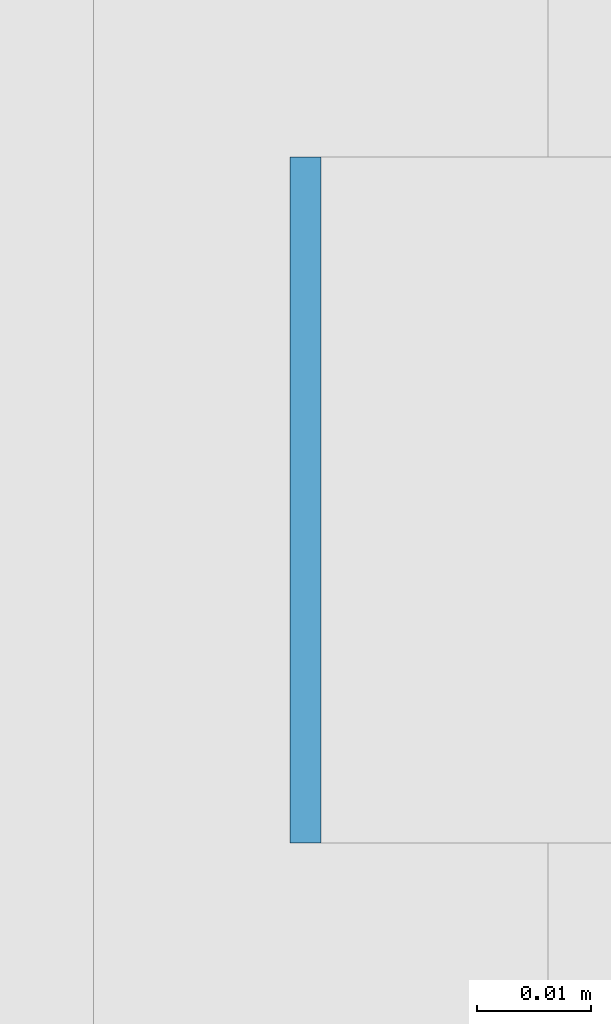
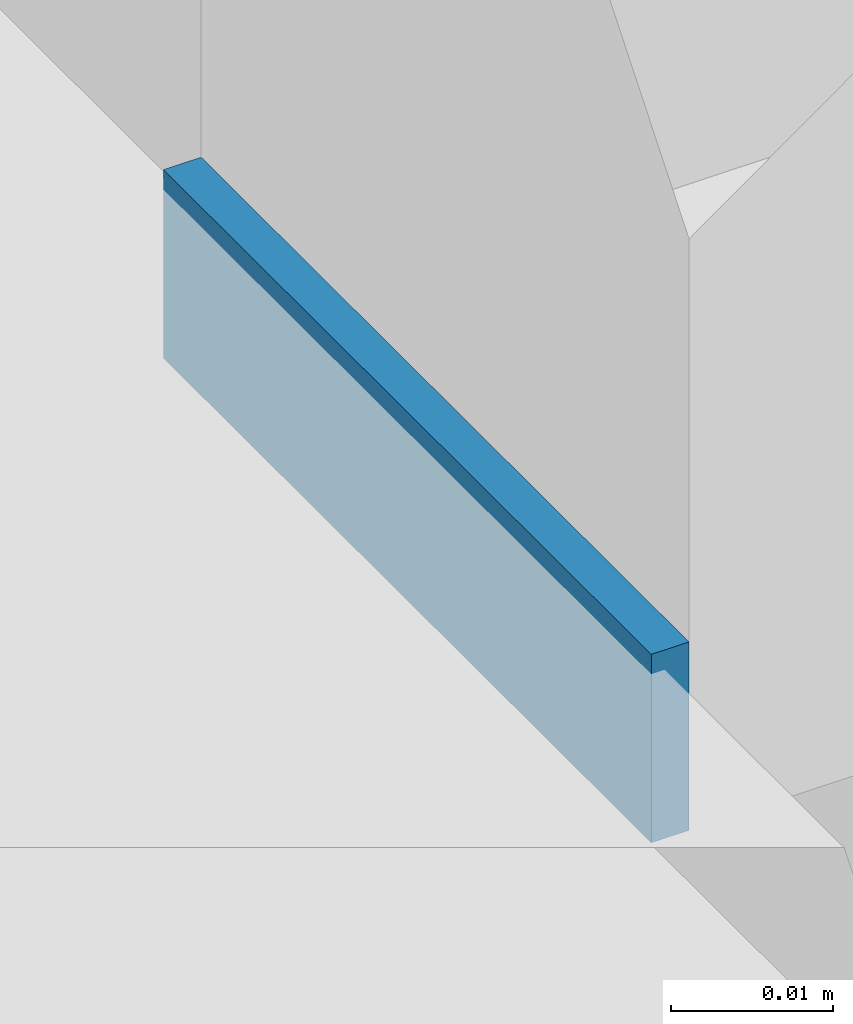
# One storey, part 474 of 646: 1 discrete accessory.
"""IFC4 building model written with IfcOpenShell, lengths in metres."""

from ifc_helpers import new_model, si_unit, direction, frame, origin, origin_2d, place, context, subcontext, project, spatial, rectangle, extrude, material, type_object, element, save


model = new_model("IFC4")

# Units and contexts
model_context = context("Model", 3, precision=1e-05, world=origin(), true_north=direction((0.0, 1.0)))
body_context = subcontext(model_context, "Body", "Model", "MODEL_VIEW")
ifc_project = project(units=[si_unit("LENGTHUNIT", "METRE"), si_unit("AREAUNIT", "SQUARE_METRE"), si_unit("VOLUMEUNIT", "CUBIC_METRE"), si_unit("PLANEANGLEUNIT", "RADIAN"), si_unit("MASSUNIT", "GRAM", prefix="KILO")], contexts=[model_context])

# Site, building, storey
site_placement = place(None, origin())
site = spatial("IfcSite", under=ifc_project, at=site_placement, CompositionType="ELEMENT")
building_placement = place(site_placement, origin())
building = spatial("IfcBuilding", under=site, at=building_placement, Name="Silverbay Arena", CompositionType="ELEMENT")
storey_placement = place(building_placement, frame((0.0, 0.0, 33.5)))
storey = spatial("IfcBuildingStorey", under=building, at=storey_placement, Name="L05", CompositionType="ELEMENT", Elevation=33.5)

# Discrete accessory
ifc_material = material(Name="Steel S355", Category="steel")
discrete_accessory_type = type_object("IfcDiscreteAccessoryType", Name="Steel bracket plate", PredefinedType="BRACKET", material=ifc_material)
discrete_accessory_placement = place(storey_placement, frame((207.128662109375, 52.71435546875, 4.0), z_axis=(0.0, 0.0, 1.0), x_axis=(1.0, 0.0, 0.0)))
element("IfcDiscreteAccessory", 1, at=discrete_accessory_placement, inside=storey, type_object=discrete_accessory_type, Name="Curtain wall packing plate", PredefinedType="BRACKET", context=body_context, shape_type="SweptSolid", body=[
    extrude(rectangle(XDim=0.002685546875, YDim=0.06005859375, at=origin_2d()), origin(), (0.0, 0.0, 1.0), 0.01416015625),
])

save(model, "model.ifc")
